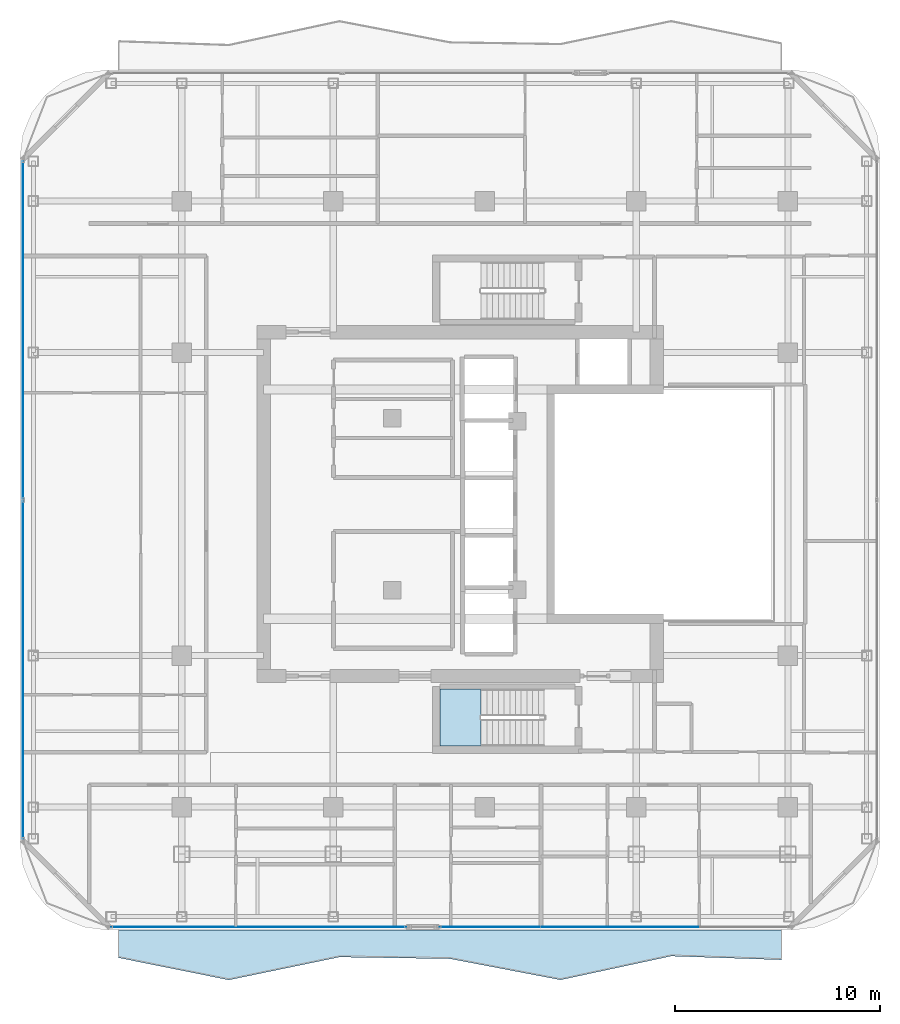
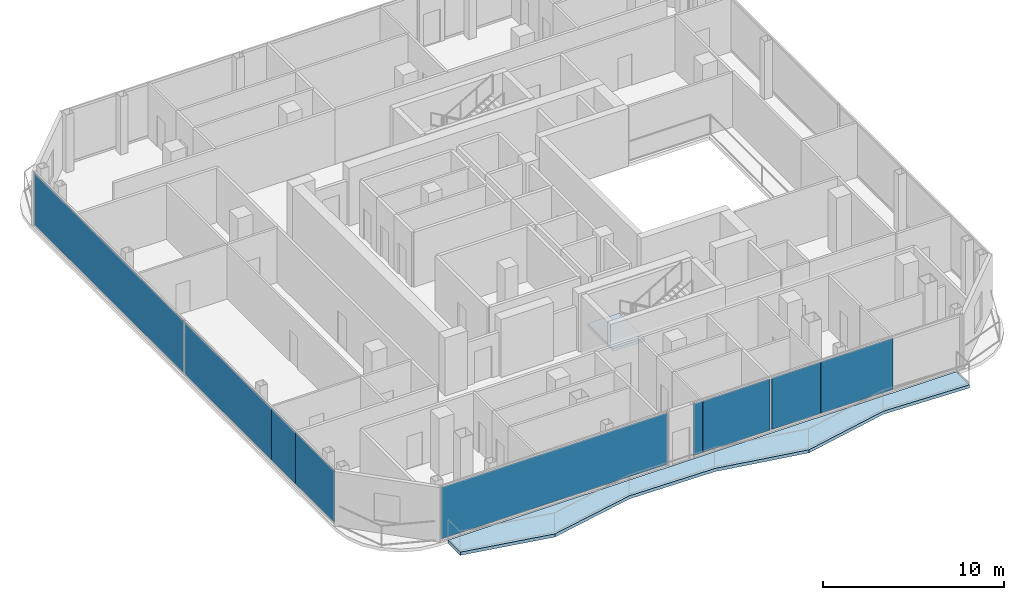
# One storey, part 14 of 22: 9 plates, 2 slabs, 4 elements without a shape of their own.
"""IFC4 building model written with IfcOpenShell, lengths in metres."""

from ifc_helpers import new_model, si_unit, direction, frame, origin, origin_2d, place, context, subcontext, project, spatial, polyline, rectangle, outline, extrude, material, layer, layer_set, type_object, element, aggregate, save


model = new_model("IFC4")

# Units and contexts
model_context = context("Model", 3, precision=1e-05, world=origin(), true_north=direction((0.0, 1.0)))
body_context = subcontext(model_context, "Body", "Model", "MODEL_VIEW")
ifc_project = project(units=[si_unit("LENGTHUNIT", "METRE"), si_unit("AREAUNIT", "SQUARE_METRE"), si_unit("VOLUMEUNIT", "CUBIC_METRE"), si_unit("PLANEANGLEUNIT", "RADIAN"), si_unit("MASSUNIT", "GRAM", prefix="KILO")], contexts=[model_context])

# Site, building, storey
site_placement = place(None, origin())
site = spatial("IfcSite", under=ifc_project, at=site_placement, CompositionType="ELEMENT")
building_placement = place(site_placement, origin())
building = spatial("IfcBuilding", under=site, at=building_placement, Name="Khorvyn Point Tower", CompositionType="ELEMENT")
storey_placement = place(building_placement, frame((0.0, 0.0, 305.39990234375)))
storey = spatial("IfcBuildingStorey", under=building, at=storey_placement, Name="L75", CompositionType="ELEMENT", Elevation=305.39990234375)

# Slab
ifc_material_1 = material(Name="Concrete C40/50", Category="concrete")
ifc_layer_1 = layer(ifc_material_1, 0.2099609375)
ifc_layer_set_1 = layer_set([ifc_layer_1], Name="Concrete C40/50 Rippling Balcony Slab 210")
slab_type_1 = type_object("IfcSlabType", Name="Concrete C40/50 Rippling Balcony Slab 210", PredefinedType="USERDEFINED", material=ifc_layer_set_1)
slab_1_placement = place(storey_placement, frame((0.0, 0.0, -0.2099609375)))
element("IfcSlab", 1, at=slab_1_placement, inside=storey, type_object=slab_type_1, Name="L75 South Sinusoidal Rippling Balcony", ObjectType="BALCONY", PredefinedType="USERDEFINED", context=body_context, shape_type="SweptSolid", body=[
    extrude(outline(polyline([(-17.89990234375, -20.800048828125), (-17.89990234375, -22.155029296875), (-12.5, -23.2421875), (-7.10009765625, -22.12255859375), (-1.699951171875, -22.205322265625), (3.699951171875, -23.238525390625), (9.10009765625, -22.076171875), (14.5, -22.2578125), (14.5, -20.800048828125), (-17.89990234375, -20.800048828125)])), origin(), (0.0, 0.0, 1.0), 0.2099609375),
])

# Stair, slab
stair_type = type_object("IfcStairType", Name="Tower Concrete C40/50 Dogleg Exit Stair", PredefinedType="HALF_TURN_STAIR", material=ifc_material_1)
stair_placement = place(storey_placement, origin())
stair = element("IfcStair", 2, at=stair_placement, inside=storey, type_object=stair_type, Name="L75 Tower Smokeproof Exit Stair South", PredefinedType="HALF_TURN_STAIR")
ifc_layer_2 = layer(ifc_material_1, 0.199951171875)
ifc_layer_set_2 = layer_set([ifc_layer_2], Name="Concrete C40/50 Stair Landing Slab 200")
slab_type_2 = type_object("IfcSlabType", Name="Concrete C40/50 Stair Landing Slab 200", PredefinedType="LANDING", material=ifc_layer_set_2)
slab_2_placement = place(storey_placement, frame((0.0, 0.0, 1.75)))
slab_2 = element("IfcSlab", 3, at=slab_2_placement, type_object=slab_type_2, Name="ST-01 landing 1", PredefinedType="LANDING", context=body_context, shape_type="SweptSolid", body=[
    extrude(outline(polyline([(-0.179931640625, -9.02001953125), (-2.199951171875, -9.02001953125), (-2.199951171875, -11.820068359375), (-0.179931640625, -11.820068359375), (-0.179931640625, -9.02001953125)])), origin(), (0.0, 0.0, 1.0), 0.2001953125),
])
aggregate(stair, [slab_2])

# Curtain wall, plates
ifc_material_2 = material(Name="Anodised aluminium 6063-T6 and laminated Low-E glass", Category="aluminium")
ifc_layer_3 = layer(ifc_material_2, 0.18994140625)
ifc_layer_set_3 = layer_set([ifc_layer_3], Name="Stick-Built High-Wind Curtain Wall CW-SYS-04")
curtain_wall_type = type_object("IfcCurtainWallType", Name="Stick-Built High-Wind Curtain Wall CW-SYS-04", PredefinedType="NOTDEFINED", material=ifc_layer_set_3)
curtain_wall_1_placement = place(storey_placement, origin())
curtain_wall_1 = element("IfcCurtainWall", 4, at=curtain_wall_1_placement, inside=storey, type_object=curtain_wall_type, Name="Curtain Wall", PredefinedType="NOTDEFINED")
ifc_material_3 = material(Name="Laminated Low-E insulated glass", Category="glass")
ifc_layer_4 = layer(ifc_material_3, 0.028076171875)
ifc_layer_set_4 = layer_set([ifc_layer_4], Name="Tempered Low-E Vision Glazing Panel CW-GL28")
plate_type = type_object("IfcPlateType", Name="Tempered Low-E Vision Glazing Panel CW-GL28", PredefinedType="CURTAIN_PANEL", material=ifc_layer_set_4)
plate_1_placement = place(storey_placement, frame((-1.8994140625, -20.64990234375, 0.10009765625), z_axis=(0.0, 0.0, 1.0), x_axis=(-1.0, 0.0, 0.0)))
plate_1 = element("IfcPlate", 5, at=plate_1_placement, type_object=plate_type, Name="Panel", PredefinedType="CURTAIN_PANEL", context=body_context, shape_type="SweptSolid", body=[
    extrude(rectangle(XDim=0.60693359375, YDim=0.028076171875, at=origin_2d()), origin(), (0.0, 0.0, 1.0), 3.47998046875),
])
plate_2_placement = place(storey_placement, frame((0.547119140625, -20.64990234375, 0.10009765625), z_axis=(0.0, 0.0, 1.0), x_axis=(-1.0, 0.0, 0.0)))
plate_2 = element("IfcPlate", 6, at=plate_2_placement, type_object=plate_type, Name="Panel", PredefinedType="CURTAIN_PANEL", context=body_context, shape_type="SweptSolid", body=[
    extrude(rectangle(XDim=4.27001953125, YDim=0.028076171875, at=origin_2d()), origin(), (0.0, 0.0, 1.0), 3.47998046875),
])
plate_3_placement = place(storey_placement, frame((4.365478515625, -20.64990234375, 0.10009765625), z_axis=(0.0, 0.0, 1.0), x_axis=(-1.0, 0.0, 0.0)))
plate_3 = element("IfcPlate", 7, at=plate_3_placement, type_object=plate_type, Name="Panel", PredefinedType="CURTAIN_PANEL", context=body_context, shape_type="SweptSolid", body=[
    extrude(rectangle(XDim=3.111083984375, YDim=0.028076171875, at=origin_2d()), origin(), (0.0, 0.0, 1.0), 3.47998046875),
])
plate_4_placement = place(storey_placement, frame((8.2275390625, -20.64990234375, 0.10009765625), z_axis=(0.0, 0.0, 1.0), x_axis=(-1.0, 0.0, 0.0)))
plate_4 = element("IfcPlate", 8, at=plate_4_placement, type_object=plate_type, Name="Panel", PredefinedType="CURTAIN_PANEL", context=body_context, shape_type="SweptSolid", body=[
    extrude(rectangle(XDim=4.596923828125, YDim=0.028076171875, at=origin_2d()), origin(), (0.0, 0.0, 1.0), 3.47998046875),
])
aggregate(curtain_wall_1, [plate_1, plate_2, plate_3, plate_4])

# Curtain wall, plate
curtain_wall_2_placement = place(storey_placement, origin())
curtain_wall_2 = element("IfcCurtainWall", 9, at=curtain_wall_2_placement, inside=storey, type_object=curtain_wall_type, Name="Curtain Wall", PredefinedType="NOTDEFINED")
plate_5_placement = place(storey_placement, frame((-11.048583984375, -20.64990234375, 0.10009765625), z_axis=(0.0, 0.0, 1.0), x_axis=(-1.0, 0.0, 0.0)))
plate_5 = element("IfcPlate", 10, at=plate_5_placement, type_object=plate_type, Name="Panel", PredefinedType="CURTAIN_PANEL", context=body_context, shape_type="SweptSolid", body=[
    extrude(rectangle(XDim=14.403076171875, YDim=0.028076171875, at=origin_2d()), origin(), (0.0, 0.0, 1.0), 3.47998046875),
])
aggregate(curtain_wall_2, [plate_5])

# Curtain wall, plates
curtain_wall_3_placement = place(storey_placement, origin())
curtain_wall_3 = element("IfcCurtainWall", 11, at=curtain_wall_3_placement, inside=storey, type_object=curtain_wall_type, Name="Curtain Wall", PredefinedType="NOTDEFINED")
plate_6_placement = place(storey_placement, frame((-22.550048828125, -14.205078125, 0.10009765625), z_axis=(0.0, 0.0, 1.0), x_axis=(0.0, 1.0, 0.0)))
plate_6 = element("IfcPlate", 12, at=plate_6_placement, type_object=plate_type, Name="Panel", PredefinedType="CURTAIN_PANEL", context=body_context, shape_type="SweptSolid", body=[
    extrude(rectangle(XDim=4.281982421875, YDim=0.028076171875, at=origin_2d()), origin(), (0.0, 0.0, 1.0), 3.47998046875),
])
plate_7_placement = place(storey_placement, frame((-22.550048828125, -10.719970703125, 0.10009765625), z_axis=(0.0, 0.0, 1.0), x_axis=(0.0, 1.0, 0.0)))
plate_7 = element("IfcPlate", 13, at=plate_7_placement, type_object=plate_type, Name="Panel", PredefinedType="CURTAIN_PANEL", context=body_context, shape_type="SweptSolid", body=[
    extrude(rectangle(XDim=2.672119140625, YDim=0.028076171875, at=origin_2d()), origin(), (0.0, 0.0, 1.0), 3.47998046875),
])
plate_8_placement = place(storey_placement, frame((-22.550048828125, -4.614990234375, 0.10009765625), z_axis=(0.0, 0.0, 1.0), x_axis=(0.0, 1.0, 0.0)))
plate_8 = element("IfcPlate", 14, at=plate_8_placement, type_object=plate_type, Name="Panel", PredefinedType="CURTAIN_PANEL", context=body_context, shape_type="SweptSolid", body=[
    extrude(rectangle(XDim=9.52197265625, YDim=0.028076171875, at=origin_2d()), origin(), (0.0, 0.0, 1.0), 3.47998046875),
])
plate_9_placement = place(storey_placement, frame((-22.550048828125, 8.5, 0.10009765625), z_axis=(0.0, 0.0, 1.0), x_axis=(0.0, 1.0, 0.0)))
plate_9 = element("IfcPlate", 15, at=plate_9_placement, type_object=plate_type, Name="Panel", PredefinedType="CURTAIN_PANEL", context=body_context, shape_type="SweptSolid", body=[
    extrude(rectangle(XDim=16.5, YDim=0.028076171875, at=origin_2d()), origin(), (0.0, 0.0, 1.0), 3.47998046875),
])
aggregate(curtain_wall_3, [plate_6, plate_7, plate_8, plate_9])

save(model, "model.ifc")
